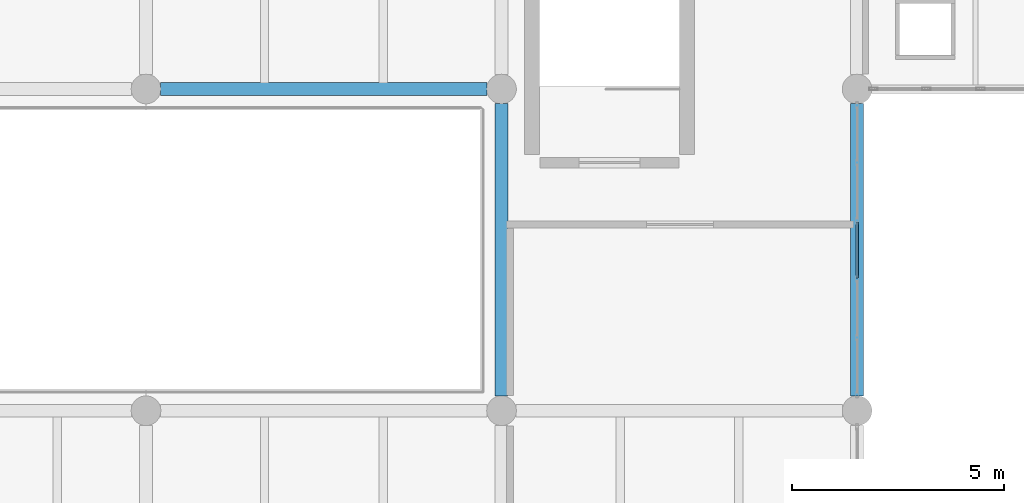
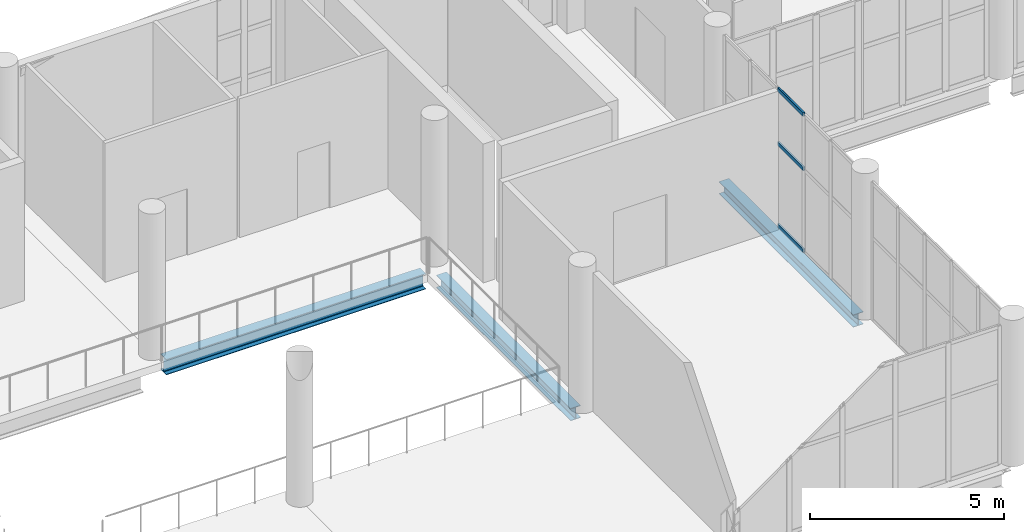
# One storey, part 25 of 74: 3 beams, 3 members, 1 element without a shape of its own.
"""IFC4 building model written with IfcOpenShell, lengths in metres."""

from ifc_helpers import new_model, si_unit, direction, frame, origin, origin_2d, place, context, subcontext, project, spatial, hollow_rectangle, i_section, extrude, material, material_profile, profile_set, type_object, element, aggregate, save


model = new_model("IFC4")

# Units and contexts
model_context = context("Model", 3, precision=1e-05, world=origin(), true_north=direction((0.0, 1.0)))
body_context = subcontext(model_context, "Body", "Model", "MODEL_VIEW")
ifc_project = project(units=[si_unit("LENGTHUNIT", "METRE"), si_unit("AREAUNIT", "SQUARE_METRE"), si_unit("VOLUMEUNIT", "CUBIC_METRE"), si_unit("PLANEANGLEUNIT", "RADIAN"), si_unit("MASSUNIT", "GRAM", prefix="KILO")], contexts=[model_context])

# Site, building, storey
site_placement = place(None, origin())
site = spatial("IfcSite", under=ifc_project, at=site_placement, CompositionType="ELEMENT")
building_placement = place(site_placement, origin())
building = spatial("IfcBuilding", under=site, at=building_placement, Name="Shengluoqiao Park Theatre", CompositionType="ELEMENT")
storey_placement = place(building_placement, frame((0.0, 0.0, 14.60009765625)))
storey = spatial("IfcBuildingStorey", under=building, at=storey_placement, Name="L03", CompositionType="ELEMENT", Elevation=14.60009765625)

# Curtain wall, members
ifc_material_1 = material(Name="Aluminium 6063-T6", Category="aluminium")
curtain_wall_type = type_object("IfcCurtainWallType", Name="ENV-CW-COURT", PredefinedType="NOTDEFINED", material=ifc_material_1)
curtain_wall_placement = place(storey_placement, origin())
curtain_wall = element("IfcCurtainWall", 1, at=curtain_wall_placement, inside=storey, type_object=curtain_wall_type, Name="L03 Curtain Wall CWX-L03-0219", PredefinedType="NOTDEFINED")
ifc_material_profile_1 = material_profile(ifc_material_1, hollow_rectangle(XDim=0.06005859375, YDim=0.1201171875, WallThickness=0.00390625, InnerFilletRadius=0.00390625, OuterFilletRadius=0.008056640625, at=origin_2d()), Name="ALU TRANSOM 120x60x4")
ifc_profile_set_1 = profile_set([ifc_material_profile_1], Name="Aluminium 6063-T6")
member_type = type_object("IfcMemberType", Name="ENV-TRN-120", PredefinedType="USERDEFINED", material=ifc_profile_set_1)
member_1_placement = place(storey_placement, frame((44.39990234375, 63.94091796875, 0.02978515625), z_axis=(0.0, 1.0, 0.0), x_axis=(-1.0, 0.0, 0.0)))
member_1 = element("IfcMember", 2, at=member_1_placement, type_object=member_type, Name="CW-05 transom 3.1", ObjectType="TRANSOM", PredefinedType="USERDEFINED", context=body_context, shape_type="SweptSolid", body=[
    extrude(hollow_rectangle(XDim=0.06005859375, YDim=0.1201171875, WallThickness=0.00390625, InnerFilletRadius=0.00390625, OuterFilletRadius=0.008056640625, at=origin_2d()), origin(), (0.0, 0.0, 1.0), 1.318359375),
])
member_2_placement = place(storey_placement, frame((44.39990234375, 63.94091796875, 2.60400390625), z_axis=(0.0, 1.0, 0.0), x_axis=(-1.0, 0.0, 0.0)))
member_2 = element("IfcMember", 3, at=member_2_placement, type_object=member_type, Name="CW-05 transom 3.2", ObjectType="TRANSOM", PredefinedType="USERDEFINED", context=body_context, shape_type="SweptSolid", body=[
    extrude(hollow_rectangle(XDim=0.06005859375, YDim=0.1201171875, WallThickness=0.00390625, InnerFilletRadius=0.00390625, OuterFilletRadius=0.008056640625, at=origin_2d()), origin(), (0.0, 0.0, 1.0), 1.318359375),
])
member_3_placement = place(storey_placement, frame((44.39990234375, 63.94091796875, 4.309814453125), z_axis=(0.0, 1.0, 0.0), x_axis=(-1.0, 0.0, 0.0)))
member_3 = element("IfcMember", 4, at=member_3_placement, type_object=member_type, Name="CW-05 transom 3.3", ObjectType="TRANSOM", PredefinedType="USERDEFINED", context=body_context, shape_type="SweptSolid", body=[
    extrude(hollow_rectangle(XDim=0.06005859375, YDim=0.1201171875, WallThickness=0.00390625, InnerFilletRadius=0.00390625, OuterFilletRadius=0.008056640625, at=origin_2d()), origin(), (0.0, 0.0, 1.0), 1.318359375),
])
aggregate(curtain_wall, [member_1, member_2, member_3])

# Beams
ifc_material_2 = material(Name="Steel Q355", Category="steel")
ifc_material_profile_2 = material_profile(ifc_material_2, i_section(OverallWidth=0.300048828125, OverallDepth=0.389892578125, WebThickness=0.010009765625, FlangeThickness=0.01611328125, FilletRadius=0.01806640625, at=origin_2d()), Name="HM 390x300x10x16")
ifc_profile_set_2 = profile_set([ifc_material_profile_2], Name="Steel Q355")
beam_type_1 = type_object("IfcBeamType", Name="STR-BM-G-HM390", PredefinedType="BEAM", material=ifc_profile_set_2)
for number, where, z_axis, x_axis, name in (
    (5, (36.0, 61.14404296875, -0.43505859375), (0.0, 1.0, 0.0), (-1.0, 0.0, 0.0), "L03 Transverse Girder 01342"),
    (6, (44.39990234375, 61.14404296875, -0.43505859375), (0.0, 1.0, 0.0), (-1.0, 0.0, 0.0), "L03 Transverse Girder 01345"),
):
    element("IfcBeam", number, at=place(storey_placement, frame(where, z_axis=z_axis, x_axis=x_axis)), inside=storey, type_object=beam_type_1, Name=name, PredefinedType="BEAM", context=body_context, shape_type="SweptSolid", body=[
        extrude(i_section(OverallWidth=0.300048828125, OverallDepth=0.389892578125, WebThickness=0.010009765625, FlangeThickness=0.01611328125, FilletRadius=0.01806640625, at=origin_2d()), origin(), (0.0, 0.0, 1.0), 6.911865234375),
    ])
ifc_material_profile_3 = material_profile(ifc_material_2, i_section(OverallWidth=0.300048828125, OverallDepth=0.488037109375, WebThickness=0.010986328125, FlangeThickness=0.01806640625, FilletRadius=0.02197265625, at=origin_2d()), Name="HM 488x300x11x18")
ifc_profile_set_3 = profile_set([ifc_material_profile_3], Name="Steel Q355")
beam_type_2 = type_object("IfcBeamType", Name="STR-BM-G-HM488", PredefinedType="BEAM", material=ifc_profile_set_3)
beam_placement = place(storey_placement, frame((27.944091796875, 68.39990234375, -0.484130859375), z_axis=(1.0, 0.0, 0.0), x_axis=(0.0, 1.0, 0.0)))
element("IfcBeam", 7, at=beam_placement, inside=storey, type_object=beam_type_2, Name="L03 Primary Girder 01338", PredefinedType="BEAM", context=body_context, shape_type="SweptSolid", body=[
    extrude(i_section(OverallWidth=0.300048828125, OverallDepth=0.488037109375, WebThickness=0.010986328125, FlangeThickness=0.01806640625, FilletRadius=0.02197265625, at=origin_2d()), origin(), (0.0, 0.0, 1.0), 7.7119140625),
])

save(model, "model.ifc")
